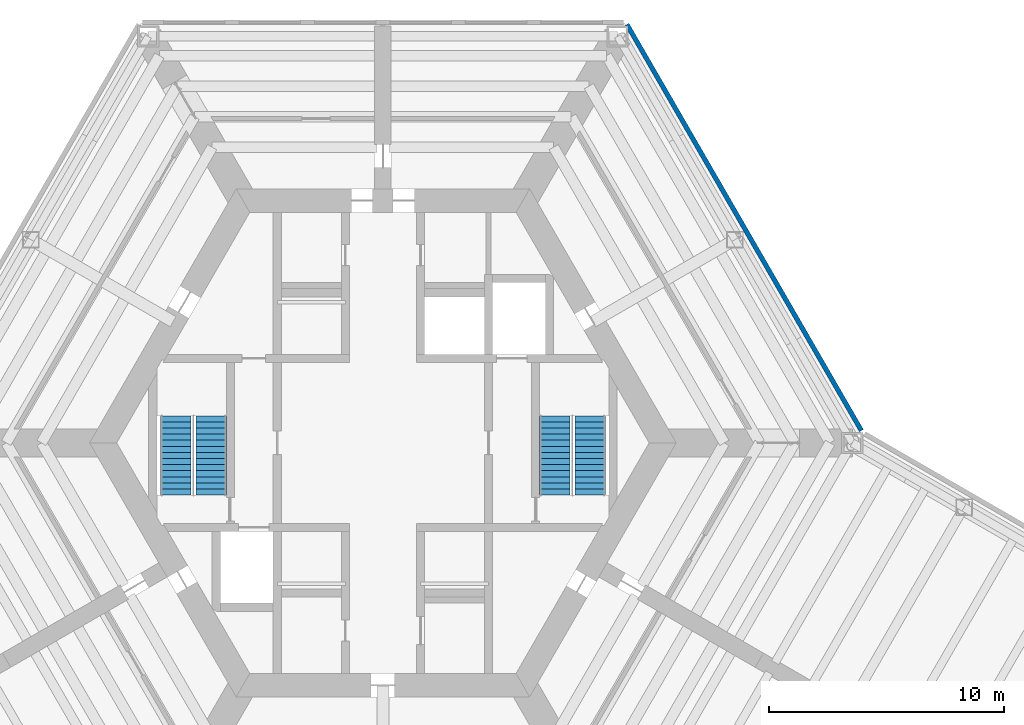
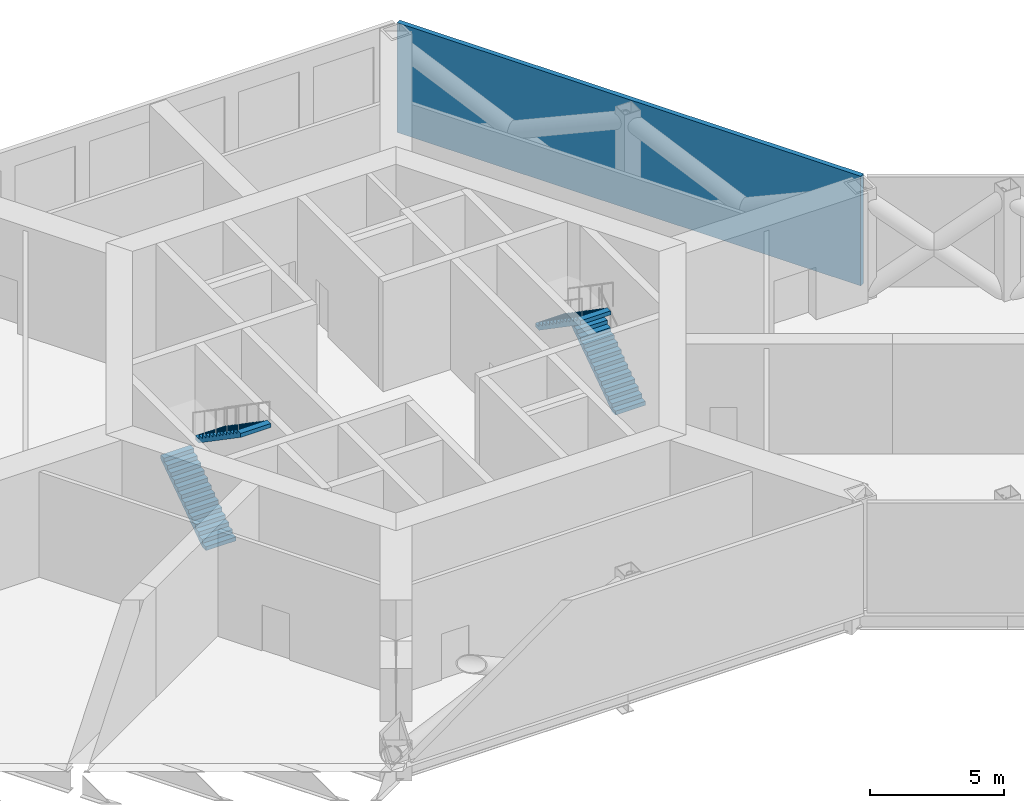
# One storey, part 7 of 8: 4 stair flights, 1 wall, 2 elements without a shape of their own.
"""IFC4 building model written with IfcOpenShell, lengths in metres."""

import ifcopenshell
import ifcopenshell.guid

model = None  # the IFC model being written
_history = None  # IfcOwnerHistory: only IFC2X3 demands one
_inside = {}  # id of a spatial element -> (the spatial element, [elements in it])
_under = {}  # id of a project, library or spatial element -> (it, [spatial elements below it])
_declared = {}  # id of a project -> (the project, [libraries it declares])
_typed = {}  # id of a type object -> (the type object, [elements of that type])
_made_of = {}  # id of a material, layer set ... -> (it, [elements and type objects made of it])


def new_model(schema):
    """Start an empty IFC model of exactly this schema.

    Asked for "IFC4X3", IfcOpenShell would pick the latest addendum, in which some entities
    have other attributes; the version numbers below select the first issue.
    IFC2X3 requires an IfcOwnerHistory on every rooted entity: one is made here for all.
    """
    global model, _history
    if schema == "IFC4X3":
        model = ifcopenshell.file(schema_version=(4, 3, 0, 0))
    else:
        model = ifcopenshell.file(schema=schema)
    _inside.clear()
    _under.clear()
    _declared.clear()
    _typed.clear()
    _made_of.clear()
    _history = None
    if model.schema == "IFC2X3":
        org = make("IfcOrganization", Name="unknown")
        user = make(
            "IfcPersonAndOrganization",
            ThePerson=make("IfcPerson", FamilyName="unknown"),
            TheOrganization=org,
        )
        app = make(
            "IfcApplication",
            ApplicationDeveloper=org,
            Version="unknown",
            ApplicationFullName="unknown",
            ApplicationIdentifier="unknown",
        )
        _history = make(
            "IfcOwnerHistory",
            OwningUser=user,
            OwningApplication=app,
            ChangeAction="ADDED",
            CreationDate=0,
        )
    return model


def make(cls, **values):
    """One entity of the class cls with the attributes given. An attribute that is None is left unset."""
    return model.create_entity(
        cls, **{name: value for name, value in values.items() if value is not None}
    )


def rooted(cls, **values):
    """An entity with a GlobalId (a new one), such as an element, a storey or a relation."""
    return make(cls, GlobalId=ifcopenshell.guid.new(), OwnerHistory=_history, **values)


def si_unit(unit_type, name, prefix=None):
    """IfcSIUnit, for example si_unit("LENGTHUNIT", "METRE", prefix="MILLI")."""
    return make("IfcSIUnit", UnitType=unit_type, Prefix=prefix, Name=name)


def assignment(units):
    """IfcUnitAssignment: the units of a project."""
    return None if units is None else make("IfcUnitAssignment", Units=units)


def point(xyz):
    """IfcCartesianPoint."""
    return None if xyz is None else make("IfcCartesianPoint", Coordinates=xyz)


def direction(xyz):
    """IfcDirection."""
    return None if xyz is None else make("IfcDirection", DirectionRatios=xyz)


def frame(location, z_axis=None, x_axis=None):
    """IfcAxis2Placement3D, a coordinate frame: its origin and axes. An axis left out is left unset."""
    return make(
        "IfcAxis2Placement3D",
        Location=point(location),
        Axis=direction(z_axis),
        RefDirection=direction(x_axis),
    )


def frame_2d(location, x_axis=None):
    """IfcAxis2Placement2D, a coordinate frame in the plane: its origin and x axis."""
    return make(
        "IfcAxis2Placement2D", Location=point(location), RefDirection=direction(x_axis)
    )


def origin():
    """The frame at (0, 0, 0) with its axes left unset."""
    return frame((0.0, 0.0, 0.0))


def place(relative_to, where):
    """IfcLocalPlacement: puts the frame where relative to a parent placement (None: the world)."""
    return make(
        "IfcLocalPlacement", PlacementRelTo=relative_to, RelativePlacement=where
    )


def context(
    kind, dimensions, precision=None, world=None, true_north=None, identifier=None
):
    """IfcGeometricRepresentationContext, for example the 3D "Model" context."""
    return make(
        "IfcGeometricRepresentationContext",
        ContextIdentifier=identifier,
        ContextType=kind,
        CoordinateSpaceDimension=dimensions,
        Precision=precision,
        WorldCoordinateSystem=world,
        TrueNorth=true_north,
    )


def subcontext(parent, identifier, kind, view, scale=None):
    """IfcGeometricRepresentationSubContext, for example "Body" below "Model"."""
    return make(
        "IfcGeometricRepresentationSubContext",
        ContextIdentifier=identifier,
        ContextType=kind,
        ParentContext=parent,
        TargetScale=scale,
        TargetView=view,
    )


def project(units=None, contexts=None):
    """IfcProject with its units and contexts."""
    return rooted(
        "IfcProject",
        Name="project",
        RepresentationContexts=contexts,
        UnitsInContext=assignment(units),
    )


def spatial(cls, under=None, at=None, **own):
    """A site, building, storey or space (cls), placed at a placement, below another one or the project."""
    s = rooted(cls, ObjectPlacement=at, **own)
    if under is not None:
        _under.setdefault(under.id(), (under, []))[1].append(s)
    return s


def polyline(points):
    """IfcPolyline through the points."""
    return make("IfcPolyline", Points=[point(p) for p in points])


def profile(cls, at=None, kind="AREA", **sizes):
    """A parametric profile (cls). Its sizes go by their IFC names, for example OverallWidth=200.0."""
    return make(cls, ProfileType=kind, Position=at, **sizes)


def rectangle(**sizes):
    """IfcRectangleProfileDef."""
    return profile("IfcRectangleProfileDef", **sizes)


def outline(outer, holes=None, kind="AREA"):
    """IfcArbitraryClosedProfileDef: a profile drawn as a closed curve; with holes, ...WithVoids."""
    if holes is None:
        return make("IfcArbitraryClosedProfileDef", ProfileType=kind, OuterCurve=outer)
    return make(
        "IfcArbitraryProfileDefWithVoids",
        ProfileType=kind,
        OuterCurve=outer,
        InnerCurves=holes,
    )


def extrude(swept, where, along, depth):
    """IfcExtrudedAreaSolid: the profile swept, set in the frame where, extruded along a direction by depth."""
    return make(
        "IfcExtrudedAreaSolid",
        SweptArea=swept,
        Position=where,
        ExtrudedDirection=direction(along),
        Depth=depth,
    )


def shape(context_of_items, identifier, shape_type, items):
    """IfcShapeRepresentation: the items that make up one representation, for example the "Body"."""
    return make(
        "IfcShapeRepresentation",
        ContextOfItems=context_of_items,
        RepresentationIdentifier=identifier,
        RepresentationType=shape_type,
        Items=items,
    )


def material(Name=None, Category=None):
    """IfcMaterial."""
    return make("IfcMaterial", Name=Name, Category=Category)


def layer(
    of_material, thickness, ventilated=None, Name=None, Category=None, Priority=None
):
    """IfcMaterialLayer: one layer of a wall or slab, of a material (None: an air gap)."""
    return make(
        "IfcMaterialLayer",
        Material=of_material,
        LayerThickness=thickness,
        IsVentilated=ventilated,
        Name=Name,
        Category=Category,
        Priority=Priority,
    )


def layer_set(layers, Name=None):
    """IfcMaterialLayerSet."""
    return make("IfcMaterialLayerSet", MaterialLayers=layers, LayerSetName=Name)


def made_of(thing, what):
    """Note that an element or type object is made of a material, layer set ...; save() writes the relation."""
    if what is not None:
        _made_of.setdefault(what.id(), (what, []))[1].append(thing)
    return thing


def type_object(cls, material=None, **own):
    """A type object (cls), such as IfcWallType, which elements share."""
    return made_of(rooted(cls, **own), material)


def element(
    cls,
    number,
    at=None,
    inside=None,
    cuts=None,
    type_object=None,
    material=None,
    context=None,
    identifier="Body",
    shape_type=None,
    held_by="IfcProductDefinitionShape",
    body=None,
    shapes=None,
    **own,
):
    """One element of the class cls, such as IfcWall. Its Tag is "e" and its number.

    at: its placement. inside: the storey or other place that contains it. cuts: it is an
    opening in that element (IfcRelVoidsElement). A single representation is given by context,
    identifier, shape_type and body (its items); several are given by shapes. held_by: the class
    of the entity that holds the representations. save() writes the other relations.
    """
    e = rooted(cls, Tag="e%d" % number, ObjectPlacement=at, **own)
    if body is not None:
        shapes = [shape(context, identifier, shape_type, body)]
    if shapes is not None:
        e.Representation = make(held_by, Representations=shapes)
    if inside is not None:
        _inside.setdefault(inside.id(), (inside, []))[1].append(e)
    if cuts is not None:
        rooted(
            "IfcRelVoidsElement", RelatingBuildingElement=cuts, RelatedOpeningElement=e
        )
    if type_object is not None:
        _typed.setdefault(type_object.id(), (type_object, []))[1].append(e)
    return made_of(e, material)


def aggregate(whole, parts):
    """IfcRelAggregates: a whole, such as a stair, and the parts it consists of."""
    return rooted("IfcRelAggregates", RelatingObject=whole, RelatedObjects=parts)


def save(model, path):
    """Write the relations noted so far, then the file.

    IfcRelAggregates (storeys below a building ...), IfcRelContainedInSpatialStructure (elements
    in a storey), IfcRelDefinesByType, IfcRelAssociatesMaterial and IfcRelDeclares: one each for
    every whole, place, type object, material and project.
    """
    for whole, parts in _under.values():
        aggregate(whole, parts)
    for where, things in _inside.values():
        rooted(
            "IfcRelContainedInSpatialStructure",
            RelatedElements=things,
            RelatingStructure=where,
        )
    for kind, things in _typed.values():
        rooted("IfcRelDefinesByType", RelatedObjects=things, RelatingType=kind)
    for what, things in _made_of.values():
        rooted("IfcRelAssociatesMaterial", RelatedObjects=things, RelatingMaterial=what)
    for by, libraries in _declared.values():
        rooted("IfcRelDeclares", RelatingContext=by, RelatedDefinitions=libraries)
    model.write(path)


model = new_model("IFC4")

# Units and contexts
model_context = context("Model", 3, precision=1e-05, world=origin(), true_north=direction((0.0, 1.0)))
body_context = subcontext(model_context, "Body", "Model", "MODEL_VIEW")
ifc_project = project(units=[si_unit("LENGTHUNIT", "METRE"), si_unit("AREAUNIT", "SQUARE_METRE"), si_unit("VOLUMEUNIT", "CUBIC_METRE"), si_unit("PLANEANGLEUNIT", "RADIAN"), si_unit("MASSUNIT", "GRAM", prefix="KILO")], contexts=[model_context])

# Site, building, storey
site_placement = place(None, origin())
site = spatial("IfcSite", under=ifc_project, at=site_placement, CompositionType="ELEMENT")
building_placement = place(site_placement, origin())
building = spatial("IfcBuilding", under=site, at=building_placement, Name="Kasaneha Research Tower", CompositionType="ELEMENT")
storey_placement = place(building_placement, frame((0.0, 0.0, 203.300048828125)))
storey = spatial("IfcBuildingStorey", under=building, at=storey_placement, Name="L51", CompositionType="ELEMENT", Elevation=203.300048828125)

# Wall
ifc_material_1 = material(Name="Terracotta cladding on steel frame", Category="masonry")
ifc_layer = layer(ifc_material_1, 0.199951171875)
ifc_layer_set = layer_set([ifc_layer], Name="Louvred plant wall 200")
wall_type = type_object("IfcWallType", Name="Louvred plant wall 200", PredefinedType="ELEMENTEDWALL", material=ifc_layer_set)
wall_placement = place(storey_placement, frame((20.38916015625, 0.52587890625, 0.0), z_axis=(0.0, 0.0, 1.0), x_axis=(-0.499993861681, 0.866028947716, 0.0)))
element("IfcWall", 1, at=wall_placement, inside=storey, type_object=wall_type, Name="Louvred plant wall L51", PredefinedType="ELEMENTEDWALL", context=body_context, shape_type="SweptSolid", body=[
    extrude(rectangle(XDim=19.985595703125, YDim=0.199951171875, at=frame_2d((9.99267578125, 0.0))), origin(), (0.0, 0.0, 1.0), 5.0),
])

# Stair, stair flights
ifc_material_2 = material(Name="Concrete Fc24", Category="concrete")
stair_type = type_object("IfcStairType", Name="Half-turn stair 28 risers", PredefinedType="HALF_TURN_STAIR", material=ifc_material_2)
stair_1_placement = place(storey_placement, origin())
stair_1 = element("IfcStair", 2, at=stair_1_placement, inside=storey, type_object=stair_type, Name="Stair 1 L51", PredefinedType="HALF_TURN_STAIR")
ifc_material_3 = material(Name="Concrete Fc24", Category="concrete")
stair_flight_type = type_object("IfcStairFlightType", Name="Stair flight 14 risers 178.6", PredefinedType="STRAIGHT", material=ifc_material_3)
stair_flight_1_placement = place(storey_placement, frame((8.824951171875, -2.22509765625, 0.0), z_axis=(0.0, 0.0, 1.0), x_axis=(0.0, 1.0, 0.0)))
stair_flight_1 = element("IfcStairFlight", 3, at=stair_flight_1_placement, type_object=stair_flight_type, Name="ST1-28R flight 1", NumberOfRisers=14, NumberOfTreads=13, PredefinedType="STRAIGHT", RiserHeight=0.178571429, TreadLength=0.26, context=body_context, shape_type="SweptSolid", body=[
    extrude(outline(polyline([(0.0, 0.0), (0.0, 0.178466796875), (0.260009765625, 0.178466796875), (0.260009765625, 0.357177734375), (0.52001953125, 0.357177734375), (0.52001953125, 0.53564453125), (0.780029296875, 0.53564453125), (0.780029296875, 0.71435546875), (1.0400390625, 0.71435546875), (1.0400390625, 0.892822265625), (1.300048828125, 0.892822265625), (1.300048828125, 1.071533203125), (1.56005859375, 1.071533203125), (1.56005859375, 1.25), (1.820068359375, 1.25), (1.820068359375, 1.428466796875), (2.080078125, 1.428466796875), (2.080078125, 1.607177734375), (2.340087890625, 1.607177734375), (2.340087890625, 1.78564453125), (2.60009765625, 1.78564453125), (2.60009765625, 1.96435546875), (2.860107421875, 1.96435546875), (2.860107421875, 2.142822265625), (3.1201171875, 2.142822265625), (3.1201171875, 2.321533203125), (3.3798828125, 2.321533203125), (3.3798828125, 2.5), (3.3798828125, 2.1396484375), (0.264892578125, 0.0), (0.0, 0.0)])), frame((0.0, 0.64990234375, 0.0), z_axis=(0.0, -1.0, 0.0), x_axis=(1.0, 0.0, 0.0)), (0.0, 0.0, 1.0), 1.300048828125),
])
stair_flight_2_placement = place(storey_placement, frame((7.324951171875, 1.155029296875, 2.5), z_axis=(0.0, 0.0, 1.0), x_axis=(0.0, -1.0, 0.0)))
stair_flight_2 = element("IfcStairFlight", 4, at=stair_flight_2_placement, type_object=stair_flight_type, Name="ST1-28R flight 2", NumberOfRisers=14, NumberOfTreads=13, PredefinedType="STRAIGHT", RiserHeight=0.178571429, TreadLength=0.26, context=body_context, shape_type="SweptSolid", body=[
    extrude(outline(polyline([(0.0, 0.0), (0.0, 0.178466796875), (0.260009765625, 0.178466796875), (0.260009765625, 0.357177734375), (0.52001953125, 0.357177734375), (0.52001953125, 0.53564453125), (0.780029296875, 0.53564453125), (0.780029296875, 0.71435546875), (1.0400390625, 0.71435546875), (1.0400390625, 0.892822265625), (1.300048828125, 0.892822265625), (1.300048828125, 1.071533203125), (1.56005859375, 1.071533203125), (1.56005859375, 1.25), (1.820068359375, 1.25), (1.820068359375, 1.428466796875), (2.080078125, 1.428466796875), (2.080078125, 1.607177734375), (2.340087890625, 1.607177734375), (2.340087890625, 1.78564453125), (2.60009765625, 1.78564453125), (2.60009765625, 1.96435546875), (2.860107421875, 1.96435546875), (2.860107421875, 2.142822265625), (3.1201171875, 2.142822265625), (3.1201171875, 2.321533203125), (3.3798828125, 2.321533203125), (3.3798828125, 2.5), (3.3798828125, 2.1396484375), (0.264892578125, 0.0), (0.0, 0.0)])), frame((0.0, 0.64990234375, 0.0), z_axis=(0.0, -1.0, 0.0), x_axis=(1.0, 0.0, 0.0)), (0.0, 0.0, 1.0), 1.300048828125),
])
aggregate(stair_1, [stair_flight_1, stair_flight_2])

stair_2_placement = place(storey_placement, origin())
stair_2 = element("IfcStair", 5, at=stair_2_placement, inside=storey, type_object=stair_type, Name="Stair 2 L51", PredefinedType="HALF_TURN_STAIR")
stair_flight_3_placement = place(storey_placement, frame((-8.824951171875, -2.22509765625, 0.0), z_axis=(0.0, 0.0, 1.0), x_axis=(0.0, 1.0, 0.0)))
stair_flight_3 = element("IfcStairFlight", 6, at=stair_flight_3_placement, type_object=stair_flight_type, Name="ST2-28R flight 1", NumberOfRisers=14, NumberOfTreads=13, PredefinedType="STRAIGHT", RiserHeight=0.178571429, TreadLength=0.26, context=body_context, shape_type="SweptSolid", body=[
    extrude(outline(polyline([(0.0, 0.0), (0.0, 0.178466796875), (0.260009765625, 0.178466796875), (0.260009765625, 0.357177734375), (0.52001953125, 0.357177734375), (0.52001953125, 0.53564453125), (0.780029296875, 0.53564453125), (0.780029296875, 0.71435546875), (1.0400390625, 0.71435546875), (1.0400390625, 0.892822265625), (1.300048828125, 0.892822265625), (1.300048828125, 1.071533203125), (1.56005859375, 1.071533203125), (1.56005859375, 1.25), (1.820068359375, 1.25), (1.820068359375, 1.428466796875), (2.080078125, 1.428466796875), (2.080078125, 1.607177734375), (2.340087890625, 1.607177734375), (2.340087890625, 1.78564453125), (2.60009765625, 1.78564453125), (2.60009765625, 1.96435546875), (2.860107421875, 1.96435546875), (2.860107421875, 2.142822265625), (3.1201171875, 2.142822265625), (3.1201171875, 2.321533203125), (3.3798828125, 2.321533203125), (3.3798828125, 2.5), (3.3798828125, 2.1396484375), (0.264892578125, 0.0), (0.0, 0.0)])), frame((0.0, 0.64990234375, 0.0), z_axis=(0.0, -1.0, 0.0), x_axis=(1.0, 0.0, 0.0)), (0.0, 0.0, 1.0), 1.300048828125),
])
stair_flight_4_placement = place(storey_placement, frame((-7.324951171875, 1.155029296875, 2.5), z_axis=(0.0, 0.0, 1.0), x_axis=(0.0, -1.0, 0.0)))
stair_flight_4 = element("IfcStairFlight", 7, at=stair_flight_4_placement, type_object=stair_flight_type, Name="ST2-28R flight 2", NumberOfRisers=14, NumberOfTreads=13, PredefinedType="STRAIGHT", RiserHeight=0.178571429, TreadLength=0.26, context=body_context, shape_type="SweptSolid", body=[
    extrude(outline(polyline([(0.0, 0.0), (0.0, 0.178466796875), (0.260009765625, 0.178466796875), (0.260009765625, 0.357177734375), (0.52001953125, 0.357177734375), (0.52001953125, 0.53564453125), (0.780029296875, 0.53564453125), (0.780029296875, 0.71435546875), (1.0400390625, 0.71435546875), (1.0400390625, 0.892822265625), (1.300048828125, 0.892822265625), (1.300048828125, 1.071533203125), (1.56005859375, 1.071533203125), (1.56005859375, 1.25), (1.820068359375, 1.25), (1.820068359375, 1.428466796875), (2.080078125, 1.428466796875), (2.080078125, 1.607177734375), (2.340087890625, 1.607177734375), (2.340087890625, 1.78564453125), (2.60009765625, 1.78564453125), (2.60009765625, 1.96435546875), (2.860107421875, 1.96435546875), (2.860107421875, 2.142822265625), (3.1201171875, 2.142822265625), (3.1201171875, 2.321533203125), (3.3798828125, 2.321533203125), (3.3798828125, 2.5), (3.3798828125, 2.1396484375), (0.264892578125, 0.0), (0.0, 0.0)])), frame((0.0, 0.64990234375, 0.0), z_axis=(0.0, -1.0, 0.0), x_axis=(1.0, 0.0, 0.0)), (0.0, 0.0, 1.0), 1.300048828125),
])
aggregate(stair_2, [stair_flight_3, stair_flight_4])

save(model, "model.ifc")
